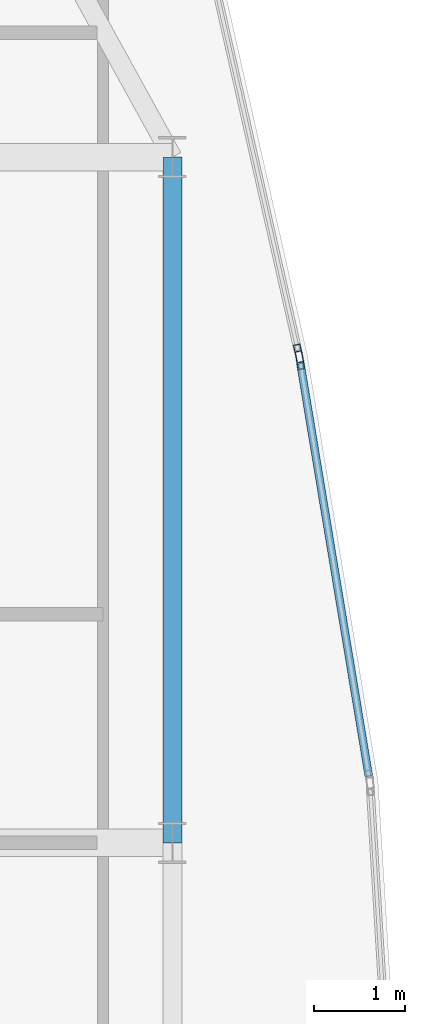
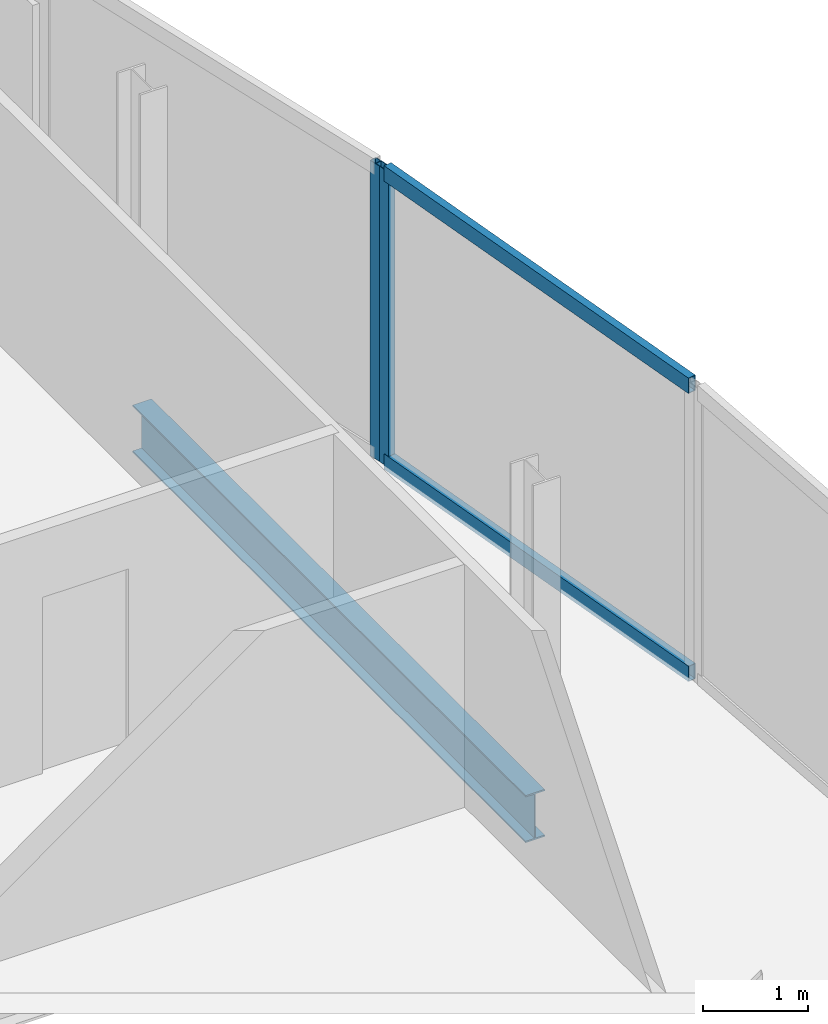
# One storey, part 19 of 29: 4 members, 1 beam, 2 elements without a shape of their own.
"""IFC4 building model written with IfcOpenShell, lengths in metres."""

from ifc_helpers import new_model, si_unit, direction, frame, origin, origin_2d, place, context, subcontext, project, spatial, hollow_rectangle, i_section, extrude, material, material_profile, profile_set, type_object, element, aggregate, save


model = new_model("IFC4")

# Units and contexts
model_context = context("Model", 3, precision=1e-05, world=origin(), true_north=direction((0.0, 1.0)))
body_context = subcontext(model_context, "Body", "Model", "MODEL_VIEW")
ifc_project = project(units=[si_unit("LENGTHUNIT", "METRE"), si_unit("AREAUNIT", "SQUARE_METRE"), si_unit("VOLUMEUNIT", "CUBIC_METRE"), si_unit("PLANEANGLEUNIT", "RADIAN"), si_unit("MASSUNIT", "GRAM", prefix="KILO")], contexts=[model_context])

# Site, building, storey
site_placement = place(None, origin())
site = spatial("IfcSite", under=ifc_project, at=site_placement, CompositionType="ELEMENT")
building_placement = place(site_placement, origin())
building = spatial("IfcBuilding", under=site, at=building_placement, Name="Khoronbel Lancet Exchange", CompositionType="ELEMENT")
storey_placement = place(building_placement, frame((0.0, 0.0, 318.199951171875)))
storey = spatial("IfcBuildingStorey", under=building, at=storey_placement, Name="L82", CompositionType="ELEMENT", Elevation=318.199951171875)

# Beam
ifc_material_1 = material(Name="Steel S355", Category="steel")
ifc_material_profile_1 = material_profile(ifc_material_1, i_section(OverallWidth=0.2099609375, OverallDepth=0.550048828125, WebThickness=0.010986328125, FlangeThickness=0.01708984375, at=origin_2d()), Name="IPE 550")
ifc_profile_set_1 = profile_set([ifc_material_profile_1], Name="Steel S355")
beam_type = type_object("IfcBeamType", Name="BM-BSP3", PredefinedType="SPANDREL", material=ifc_profile_set_1)
beam_placement = place(storey_placement, frame((61.6298828125, 35.699951171875, -0.43505859375), z_axis=(0.0, 1.0, 0.0), x_axis=(-1.0, 0.0, 0.0)))
element("IfcBeam", 1, at=beam_placement, inside=storey, type_object=beam_type, Name="Level L82 perimeter spandrel beam SP12", PredefinedType="SPANDREL", context=body_context, shape_type="SweptSolid", body=[
    extrude(i_section(OverallWidth=0.2099609375, OverallDepth=0.550048828125, WebThickness=0.010986328125, FlangeThickness=0.01708984375, at=origin_2d()), origin(), (0.0, 0.0, 1.0), 7.5),
])

# Curtain wall, member
ifc_material_2 = material(Name="Low-E Solar Control Insulating Glass", Category="glass")
curtain_wall_type = type_object("IfcCurtainWallType", Name="CW-4", PredefinedType="NOTDEFINED", material=ifc_material_2)
curtain_wall_1_placement = place(storey_placement, origin())
curtain_wall_1 = element("IfcCurtainWall", 2, at=curtain_wall_1_placement, inside=storey, type_object=curtain_wall_type, Name="Unitised curtain wall CW-L82-E17", PredefinedType="NOTDEFINED")
ifc_material_3 = material(Name="Bronze-Anodised Aluminium 6063-T6", Category="aluminium")
ifc_material_profile_2 = material_profile(ifc_material_3, hollow_rectangle(XDim=0.074951171875, YDim=0.199951171875, WallThickness=0.0048828125, at=origin_2d()), Name="ALU MULLION 75x200")
ifc_profile_set_2 = profile_set([ifc_material_profile_2], Name="Bronze-Anodised Aluminium 6063-T6")
member_type_1 = type_object("IfcMemberType", Name="MEM-CWM2", PredefinedType="MULLION", material=ifc_profile_set_2)
member_1_placement = place(storey_placement, frame((63.009521484375, 41.052490234375, 0.0), z_axis=(0.0, 0.0, 1.0), x_axis=(0.975333138033, 0.220738011804, 0.0)))
member_1 = element("IfcMember", 3, at=member_1_placement, type_object=member_type_1, Name="CW4 mullion 2", PredefinedType="MULLION", context=body_context, shape_type="SweptSolid", body=[
    extrude(hollow_rectangle(XDim=0.074951171875, YDim=0.199951171875, WallThickness=0.0048828125, at=origin_2d()), origin(), (0.0, 0.0, 1.0), 3.43994140625),
])
aggregate(curtain_wall_1, [member_1])

# Curtain wall, members
curtain_wall_2_placement = place(storey_placement, origin())
curtain_wall_2 = element("IfcCurtainWall", 4, at=curtain_wall_2_placement, inside=storey, type_object=curtain_wall_type, Name="Unitised curtain wall CW-L82-E18", PredefinedType="NOTDEFINED")
member_2_placement = place(storey_placement, frame((63.02392578125, 40.97900390625, 0.0), z_axis=(0.0, 0.0, 1.0), x_axis=(0.986546857696, 0.163478737362, 0.0)))
member_2 = element("IfcMember", 5, at=member_2_placement, type_object=member_type_1, Name="CW4 mullion 1", PredefinedType="MULLION", context=body_context, shape_type="SweptSolid", body=[
    extrude(hollow_rectangle(XDim=0.074951171875, YDim=0.199951171875, WallThickness=0.0048828125, at=origin_2d()), origin(), (0.0, 0.0, 1.0), 3.43994140625),
])
ifc_material_profile_3 = material_profile(ifc_material_3, hollow_rectangle(XDim=0.0849609375, YDim=0.179931640625, WallThickness=0.0048828125, at=origin_2d()), Name="ALU TRANSOM 85x180")
ifc_profile_set_3 = profile_set([ifc_material_profile_3], Name="Bronze-Anodised Aluminium 6063-T6")
member_type_2 = type_object("IfcMemberType", Name="MEM-CWT1", PredefinedType="USERDEFINED", material=ifc_profile_set_3)
member_3_placement = place(storey_placement, frame((63.030029296875, 40.94189453125, 0.04248046875), z_axis=(0.163481179728, -0.986546452974, 0.0), x_axis=(0.986546452974, 0.163481179728, 0.0)))
member_3 = element("IfcMember", 6, at=member_3_placement, type_object=member_type_2, Name="CW4 transom 1.1", ObjectType="TRANSOM", PredefinedType="USERDEFINED", context=body_context, shape_type="SweptSolid", body=[
    extrude(hollow_rectangle(XDim=0.0849609375, YDim=0.179931640625, WallThickness=0.0048828125, at=origin_2d()), origin(), (0.0, 0.0, 1.0), 4.57275390625),
])
member_4_placement = place(storey_placement, frame((63.030029296875, 40.94189453125, 3.3974609375), z_axis=(0.163481179728, -0.986546452974, 0.0), x_axis=(0.986546452974, 0.163481179728, 0.0)))
member_4 = element("IfcMember", 7, at=member_4_placement, type_object=member_type_2, Name="CW4 transom 1.2", ObjectType="TRANSOM", PredefinedType="USERDEFINED", context=body_context, shape_type="SweptSolid", body=[
    extrude(hollow_rectangle(XDim=0.0849609375, YDim=0.179931640625, WallThickness=0.0048828125, at=origin_2d()), origin(), (0.0, 0.0, 1.0), 4.57275390625),
])
aggregate(curtain_wall_2, [member_2, member_3, member_4])

save(model, "model.ifc")
